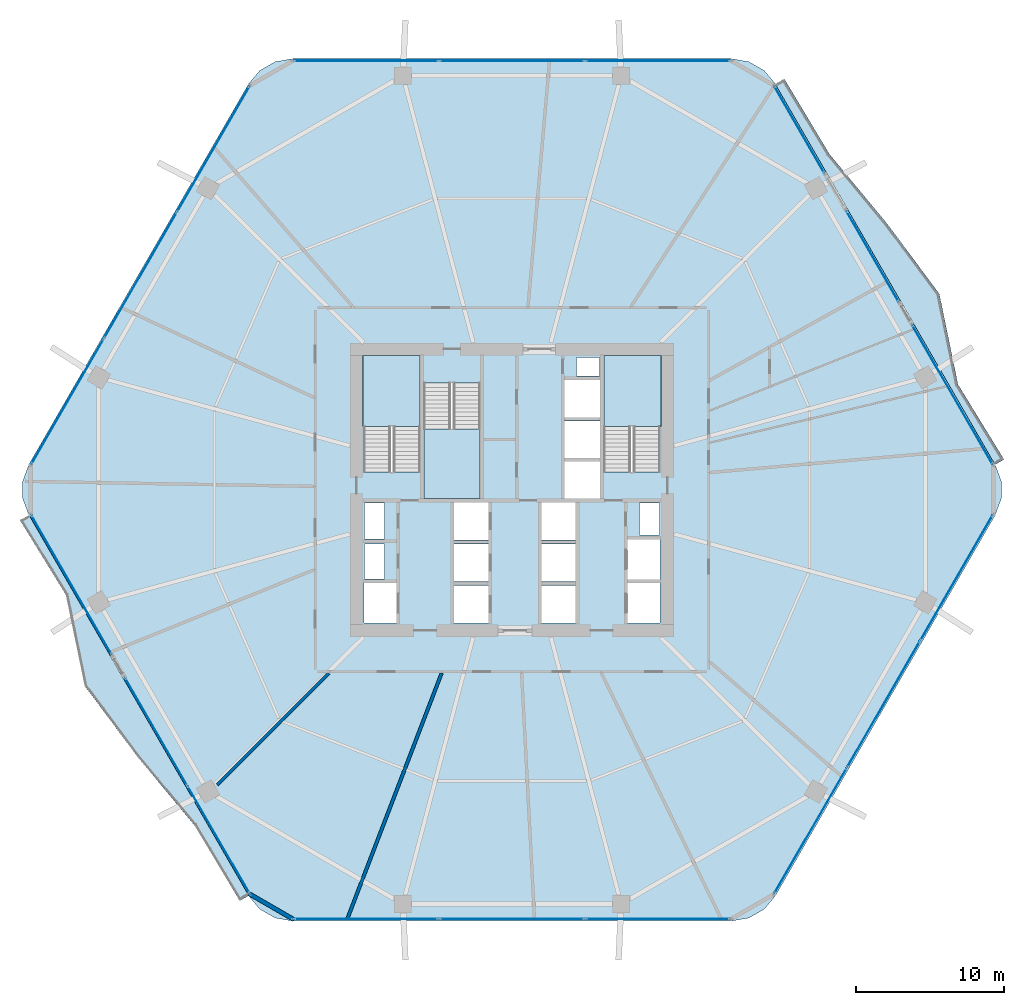
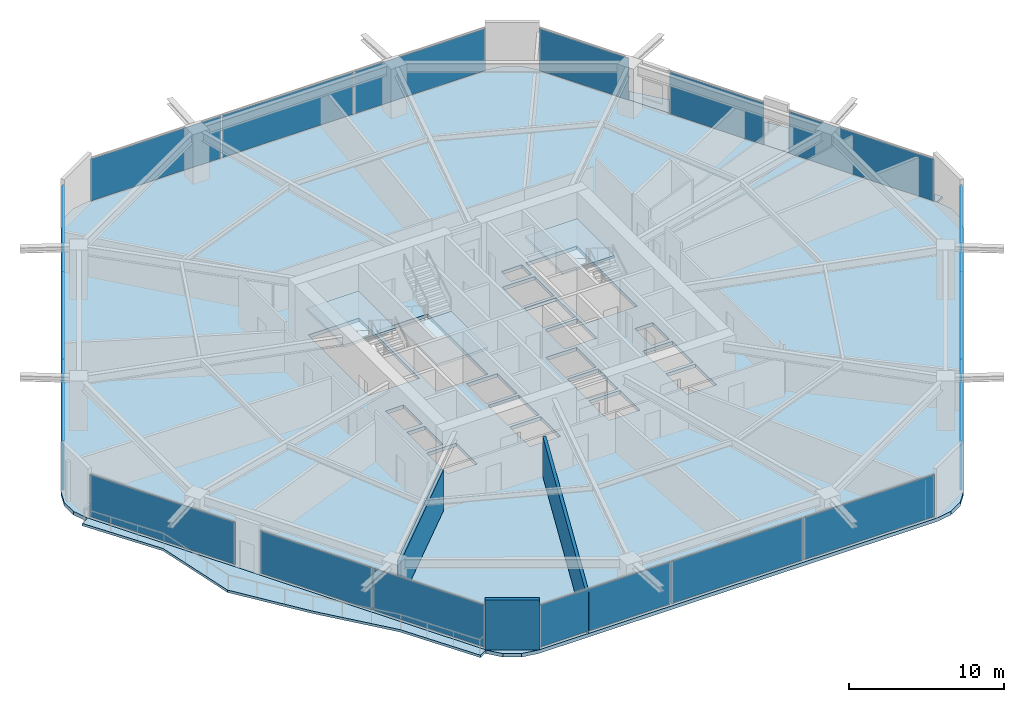
# One storey, part 21 of 27: 18 plates, 6 slabs, 3 walls, 12 elements without a shape of their own.
"""IFC4 building model written with IfcOpenShell, lengths in metres."""

import ifcopenshell
import ifcopenshell.guid

model = None  # the IFC model being written
_history = None  # IfcOwnerHistory: only IFC2X3 demands one
_inside = {}  # id of a spatial element -> (the spatial element, [elements in it])
_under = {}  # id of a project, library or spatial element -> (it, [spatial elements below it])
_declared = {}  # id of a project -> (the project, [libraries it declares])
_typed = {}  # id of a type object -> (the type object, [elements of that type])
_made_of = {}  # id of a material, layer set ... -> (it, [elements and type objects made of it])


def new_model(schema):
    """Start an empty IFC model of exactly this schema.

    Asked for "IFC4X3", IfcOpenShell would pick the latest addendum, in which some entities
    have other attributes; the version numbers below select the first issue.
    IFC2X3 requires an IfcOwnerHistory on every rooted entity: one is made here for all.
    """
    global model, _history
    if schema == "IFC4X3":
        model = ifcopenshell.file(schema_version=(4, 3, 0, 0))
    else:
        model = ifcopenshell.file(schema=schema)
    _inside.clear()
    _under.clear()
    _declared.clear()
    _typed.clear()
    _made_of.clear()
    _history = None
    if model.schema == "IFC2X3":
        org = make("IfcOrganization", Name="unknown")
        user = make(
            "IfcPersonAndOrganization",
            ThePerson=make("IfcPerson", FamilyName="unknown"),
            TheOrganization=org,
        )
        app = make(
            "IfcApplication",
            ApplicationDeveloper=org,
            Version="unknown",
            ApplicationFullName="unknown",
            ApplicationIdentifier="unknown",
        )
        _history = make(
            "IfcOwnerHistory",
            OwningUser=user,
            OwningApplication=app,
            ChangeAction="ADDED",
            CreationDate=0,
        )
    return model


def make(cls, **values):
    """One entity of the class cls with the attributes given. An attribute that is None is left unset."""
    return model.create_entity(
        cls, **{name: value for name, value in values.items() if value is not None}
    )


def rooted(cls, **values):
    """An entity with a GlobalId (a new one), such as an element, a storey or a relation."""
    return make(cls, GlobalId=ifcopenshell.guid.new(), OwnerHistory=_history, **values)


def si_unit(unit_type, name, prefix=None):
    """IfcSIUnit, for example si_unit("LENGTHUNIT", "METRE", prefix="MILLI")."""
    return make("IfcSIUnit", UnitType=unit_type, Prefix=prefix, Name=name)


def assignment(units):
    """IfcUnitAssignment: the units of a project."""
    return None if units is None else make("IfcUnitAssignment", Units=units)


def point(xyz):
    """IfcCartesianPoint."""
    return None if xyz is None else make("IfcCartesianPoint", Coordinates=xyz)


def direction(xyz):
    """IfcDirection."""
    return None if xyz is None else make("IfcDirection", DirectionRatios=xyz)


def frame(location, z_axis=None, x_axis=None):
    """IfcAxis2Placement3D, a coordinate frame: its origin and axes. An axis left out is left unset."""
    return make(
        "IfcAxis2Placement3D",
        Location=point(location),
        Axis=direction(z_axis),
        RefDirection=direction(x_axis),
    )


def frame_2d(location, x_axis=None):
    """IfcAxis2Placement2D, a coordinate frame in the plane: its origin and x axis."""
    return make(
        "IfcAxis2Placement2D", Location=point(location), RefDirection=direction(x_axis)
    )


def origin():
    """The frame at (0, 0, 0) with its axes left unset."""
    return frame((0.0, 0.0, 0.0))


def origin_2d():
    """The frame at (0, 0) in the plane with its x axis left unset."""
    return frame_2d((0.0, 0.0))


def place(relative_to, where):
    """IfcLocalPlacement: puts the frame where relative to a parent placement (None: the world)."""
    return make(
        "IfcLocalPlacement", PlacementRelTo=relative_to, RelativePlacement=where
    )


def context(
    kind, dimensions, precision=None, world=None, true_north=None, identifier=None
):
    """IfcGeometricRepresentationContext, for example the 3D "Model" context."""
    return make(
        "IfcGeometricRepresentationContext",
        ContextIdentifier=identifier,
        ContextType=kind,
        CoordinateSpaceDimension=dimensions,
        Precision=precision,
        WorldCoordinateSystem=world,
        TrueNorth=true_north,
    )


def subcontext(parent, identifier, kind, view, scale=None):
    """IfcGeometricRepresentationSubContext, for example "Body" below "Model"."""
    return make(
        "IfcGeometricRepresentationSubContext",
        ContextIdentifier=identifier,
        ContextType=kind,
        ParentContext=parent,
        TargetScale=scale,
        TargetView=view,
    )


def project(units=None, contexts=None):
    """IfcProject with its units and contexts."""
    return rooted(
        "IfcProject",
        Name="project",
        RepresentationContexts=contexts,
        UnitsInContext=assignment(units),
    )


def spatial(cls, under=None, at=None, **own):
    """A site, building, storey or space (cls), placed at a placement, below another one or the project."""
    s = rooted(cls, ObjectPlacement=at, **own)
    if under is not None:
        _under.setdefault(under.id(), (under, []))[1].append(s)
    return s


def polyline(points):
    """IfcPolyline through the points."""
    return make("IfcPolyline", Points=[point(p) for p in points])


def profile(cls, at=None, kind="AREA", **sizes):
    """A parametric profile (cls). Its sizes go by their IFC names, for example OverallWidth=200.0."""
    return make(cls, ProfileType=kind, Position=at, **sizes)


def rectangle(**sizes):
    """IfcRectangleProfileDef."""
    return profile("IfcRectangleProfileDef", **sizes)


def outline(outer, holes=None, kind="AREA"):
    """IfcArbitraryClosedProfileDef: a profile drawn as a closed curve; with holes, ...WithVoids."""
    if holes is None:
        return make("IfcArbitraryClosedProfileDef", ProfileType=kind, OuterCurve=outer)
    return make(
        "IfcArbitraryProfileDefWithVoids",
        ProfileType=kind,
        OuterCurve=outer,
        InnerCurves=holes,
    )


def extrude(swept, where, along, depth):
    """IfcExtrudedAreaSolid: the profile swept, set in the frame where, extruded along a direction by depth."""
    return make(
        "IfcExtrudedAreaSolid",
        SweptArea=swept,
        Position=where,
        ExtrudedDirection=direction(along),
        Depth=depth,
    )


def shape(context_of_items, identifier, shape_type, items):
    """IfcShapeRepresentation: the items that make up one representation, for example the "Body"."""
    return make(
        "IfcShapeRepresentation",
        ContextOfItems=context_of_items,
        RepresentationIdentifier=identifier,
        RepresentationType=shape_type,
        Items=items,
    )


def material(Name=None, Category=None):
    """IfcMaterial."""
    return make("IfcMaterial", Name=Name, Category=Category)


def layer(
    of_material, thickness, ventilated=None, Name=None, Category=None, Priority=None
):
    """IfcMaterialLayer: one layer of a wall or slab, of a material (None: an air gap)."""
    return make(
        "IfcMaterialLayer",
        Material=of_material,
        LayerThickness=thickness,
        IsVentilated=ventilated,
        Name=Name,
        Category=Category,
        Priority=Priority,
    )


def layer_set(layers, Name=None):
    """IfcMaterialLayerSet."""
    return make("IfcMaterialLayerSet", MaterialLayers=layers, LayerSetName=Name)


def made_of(thing, what):
    """Note that an element or type object is made of a material, layer set ...; save() writes the relation."""
    if what is not None:
        _made_of.setdefault(what.id(), (what, []))[1].append(thing)
    return thing


def type_object(cls, material=None, **own):
    """A type object (cls), such as IfcWallType, which elements share."""
    return made_of(rooted(cls, **own), material)


def element(
    cls,
    number,
    at=None,
    inside=None,
    cuts=None,
    type_object=None,
    material=None,
    context=None,
    identifier="Body",
    shape_type=None,
    held_by="IfcProductDefinitionShape",
    body=None,
    shapes=None,
    **own,
):
    """One element of the class cls, such as IfcWall. Its Tag is "e" and its number.

    at: its placement. inside: the storey or other place that contains it. cuts: it is an
    opening in that element (IfcRelVoidsElement). A single representation is given by context,
    identifier, shape_type and body (its items); several are given by shapes. held_by: the class
    of the entity that holds the representations. save() writes the other relations.
    """
    e = rooted(cls, Tag="e%d" % number, ObjectPlacement=at, **own)
    if body is not None:
        shapes = [shape(context, identifier, shape_type, body)]
    if shapes is not None:
        e.Representation = make(held_by, Representations=shapes)
    if inside is not None:
        _inside.setdefault(inside.id(), (inside, []))[1].append(e)
    if cuts is not None:
        rooted(
            "IfcRelVoidsElement", RelatingBuildingElement=cuts, RelatedOpeningElement=e
        )
    if type_object is not None:
        _typed.setdefault(type_object.id(), (type_object, []))[1].append(e)
    return made_of(e, material)


def aggregate(whole, parts):
    """IfcRelAggregates: a whole, such as a stair, and the parts it consists of."""
    return rooted("IfcRelAggregates", RelatingObject=whole, RelatedObjects=parts)


def save(model, path):
    """Write the relations noted so far, then the file.

    IfcRelAggregates (storeys below a building ...), IfcRelContainedInSpatialStructure (elements
    in a storey), IfcRelDefinesByType, IfcRelAssociatesMaterial and IfcRelDeclares: one each for
    every whole, place, type object, material and project.
    """
    for whole, parts in _under.values():
        aggregate(whole, parts)
    for where, things in _inside.values():
        rooted(
            "IfcRelContainedInSpatialStructure",
            RelatedElements=things,
            RelatingStructure=where,
        )
    for kind, things in _typed.values():
        rooted("IfcRelDefinesByType", RelatedObjects=things, RelatingType=kind)
    for what, things in _made_of.values():
        rooted("IfcRelAssociatesMaterial", RelatedObjects=things, RelatingMaterial=what)
    for by, libraries in _declared.values():
        rooted("IfcRelDeclares", RelatingContext=by, RelatedDefinitions=libraries)
    model.write(path)


model = new_model("IFC4")

# Units and contexts
model_context = context("Model", 3, precision=1e-05, world=origin(), true_north=direction((0.0, 1.0)))
body_context = subcontext(model_context, "Body", "Model", "MODEL_VIEW")
ifc_project = project(units=[si_unit("LENGTHUNIT", "METRE"), si_unit("AREAUNIT", "SQUARE_METRE"), si_unit("VOLUMEUNIT", "CUBIC_METRE"), si_unit("PLANEANGLEUNIT", "RADIAN"), si_unit("MASSUNIT", "GRAM", prefix="KILO")], contexts=[model_context])

# Site, building, storey
site_placement = place(None, origin())
site = spatial("IfcSite", under=ifc_project, at=site_placement, CompositionType="ELEMENT")
building_placement = place(site_placement, origin())
building = spatial("IfcBuilding", under=site, at=building_placement, Name="Zuhravey Tower", CompositionType="ELEMENT")
storey_placement = place(building_placement, frame((0.0, 0.0, 12.0)))
storey = spatial("IfcBuildingStorey", under=building, at=storey_placement, Name="L03", CompositionType="ELEMENT", Elevation=12.0)

# Curtain wall, plates
ifc_material_1 = material(Name="Thermally broken anodised aluminium", Category="aluminium")
curtain_wall_type = type_object("IfcCurtainWallType", Name="School Low-E Unitised Curtain Wall CW1", PredefinedType="NOTDEFINED", material=ifc_material_1)
curtain_wall_1_placement = place(storey_placement, origin())
curtain_wall_1 = element("IfcCurtainWall", 1, at=curtain_wall_1_placement, inside=storey, type_object=curtain_wall_type, Name="L03 CW1 CW-L03-F6-1", PredefinedType="NOTDEFINED")
ifc_material_2 = material(Name="Laminated acoustic low-E vision glass", Category="glass")
ifc_layer_1 = layer(ifc_material_2, 0.048095703125)
ifc_layer_set_1 = layer_set([ifc_layer_1], Name="Laminated acoustic low-E vision glass")
plate_type = type_object("IfcPlateType", Name="Acoustic School Vision Panel", PredefinedType="CURTAIN_PANEL", material=ifc_layer_set_1)
plate_1_placement = place(storey_placement, frame((66.000732421875, 26.045654296875, 0.090087890625), z_axis=(0.0, 0.0, 1.0), x_axis=(-0.499999794119, -0.86602552265, 0.0)))
plate_1 = element("IfcPlate", 2, at=plate_1_placement, type_object=plate_type, Name="CW1 panel 1.1", PredefinedType="CURTAIN_PANEL", context=body_context, shape_type="SweptSolid", body=[
    extrude(rectangle(XDim=9.7314453125, YDim=0.048095703125, at=origin_2d()), origin(), (0.0, 0.0, 1.0), 3.31201171875),
])
plate_2_placement = place(storey_placement, frame((61.078857421875, 17.520751953125, 0.090087890625), z_axis=(0.0, 0.0, 1.0), x_axis=(-0.499999794119, -0.86602552265, 0.0)))
plate_2 = element("IfcPlate", 3, at=plate_2_placement, type_object=plate_type, Name="CW1 panel 2.1", PredefinedType="CURTAIN_PANEL", context=body_context, shape_type="SweptSolid", body=[
    extrude(rectangle(XDim=9.7763671875, YDim=0.048095703125, at=origin_2d()), origin(), (0.0, 0.0, 1.0), 3.31201171875),
])
plate_3_placement = place(storey_placement, frame((56.15673828125, 8.995849609375, 0.090087890625), z_axis=(0.0, 0.0, 1.0), x_axis=(-0.499999794119, -0.86602552265, 0.0)))
plate_3 = element("IfcPlate", 4, at=plate_3_placement, type_object=plate_type, Name="CW1 panel 3.1", PredefinedType="CURTAIN_PANEL", context=body_context, shape_type="SweptSolid", body=[
    extrude(rectangle(XDim=9.7314453125, YDim=0.048095703125, at=origin_2d()), origin(), (0.0, 0.0, 1.0), 3.31201171875),
])
aggregate(curtain_wall_1, [plate_1, plate_2, plate_3])

curtain_wall_2_placement = place(storey_placement, origin())
curtain_wall_2 = element("IfcCurtainWall", 5, at=curtain_wall_2_placement, inside=storey, type_object=curtain_wall_type, Name="L03 CW1 CW-L03-F5-1", PredefinedType="NOTDEFINED")
plate_4_placement = place(storey_placement, frame((45.84375, 3.04150390625, 0.090087890625), z_axis=(0.0, 0.0, 1.0), x_axis=(-1.0, 0.0, 0.0)))
plate_4 = element("IfcPlate", 6, at=plate_4_placement, type_object=plate_type, Name="CW1 panel 1.1", PredefinedType="CURTAIN_PANEL", context=body_context, shape_type="SweptSolid", body=[
    extrude(rectangle(XDim=9.7314453125, YDim=0.048095703125, at=origin_2d()), origin(), (0.0, 0.0, 1.0), 3.31201171875),
])
plate_5_placement = place(storey_placement, frame((36.0, 3.04150390625, 0.090087890625), z_axis=(0.0, 0.0, 1.0), x_axis=(-1.0, 0.0, 0.0)))
plate_5 = element("IfcPlate", 7, at=plate_5_placement, type_object=plate_type, Name="CW1 panel 2.1", PredefinedType="CURTAIN_PANEL", context=body_context, shape_type="SweptSolid", body=[
    extrude(rectangle(XDim=9.7763671875, YDim=0.048095703125, at=origin_2d()), origin(), (0.0, 0.0, 1.0), 3.31201171875),
])
plate_6_placement = place(storey_placement, frame((26.15625, 3.04150390625, 0.090087890625), z_axis=(0.0, 0.0, 1.0), x_axis=(-1.0, 0.0, 0.0)))
plate_6 = element("IfcPlate", 8, at=plate_6_placement, type_object=plate_type, Name="CW1 panel 3.1", PredefinedType="CURTAIN_PANEL", context=body_context, shape_type="SweptSolid", body=[
    extrude(rectangle(XDim=9.7314453125, YDim=0.048095703125, at=origin_2d()), origin(), (0.0, 0.0, 1.0), 3.31201171875),
])
aggregate(curtain_wall_2, [plate_4, plate_5, plate_6])

curtain_wall_3_placement = place(storey_placement, origin())
curtain_wall_3 = element("IfcCurtainWall", 9, at=curtain_wall_3_placement, inside=storey, type_object=curtain_wall_type, Name="L03 CW1 CW-L03-F4-1", PredefinedType="NOTDEFINED")
plate_7_placement = place(storey_placement, frame((16.1953125, 8.3857421875, 0.090087890625), z_axis=(0.0, 0.0, 1.0), x_axis=(-0.499999818499, 0.866025508574, 0.0)))
plate_7 = element("IfcPlate", 10, at=plate_7_placement, type_object=plate_type, Name="CW1 panel 1.1", PredefinedType="CURTAIN_PANEL", context=body_context, shape_type="SweptSolid", body=[
    extrude(rectangle(XDim=8.322509765625, YDim=0.048095703125, at=origin_2d()), origin(), (0.0, 0.0, 1.0), 3.31201171875),
])
plate_8_placement = place(storey_placement, frame((11.989013671875, 15.671142578125, 0.090087890625), z_axis=(0.0, 0.0, 1.0), x_axis=(-0.499999818499, 0.866025508574, 0.0)))
plate_8 = element("IfcPlate", 11, at=plate_8_placement, type_object=plate_type, Name="CW1 panel 2.1", PredefinedType="CURTAIN_PANEL", context=body_context, shape_type="SweptSolid", body=[
    extrude(rectangle(XDim=8.322509765625, YDim=0.048095703125, at=origin_2d()), origin(), (0.0, 0.0, 1.0), 3.31201171875),
])
aggregate(curtain_wall_3, [plate_7, plate_8])

# Curtain wall, plate
curtain_wall_4_placement = place(storey_placement, origin())
curtain_wall_4 = element("IfcCurtainWall", 12, at=curtain_wall_4_placement, inside=storey, type_object=curtain_wall_type, Name="L03 CW1 CW-L03-F4-2", PredefinedType="NOTDEFINED")
plate_9_placement = place(storey_placement, frame((6.267333984375, 25.581298828125, 0.090087890625), z_axis=(0.0, 0.0, 1.0), x_axis=(-0.499998022171, 0.866026545681, 0.0)))
plate_9 = element("IfcPlate", 13, at=plate_9_placement, type_object=plate_type, Name="CW1 panel 1.1", PredefinedType="CURTAIN_PANEL", context=body_context, shape_type="SweptSolid", body=[
    extrude(rectangle(XDim=10.803955078125, YDim=0.048095703125, at=origin_2d()), origin(), (0.0, 0.0, 1.0), 3.31201171875),
])
aggregate(curtain_wall_4, [plate_9])

# Curtain wall, plates
curtain_wall_5_placement = place(storey_placement, origin())
curtain_wall_5 = element("IfcCurtainWall", 14, at=curtain_wall_5_placement, inside=storey, type_object=curtain_wall_type, Name="L03 CW1 CW-L03-F3-1", PredefinedType="NOTDEFINED")
plate_10_placement = place(storey_placement, frame((5.999267578125, 37.954345703125, 0.090087890625), z_axis=(0.0, 0.0, 1.0), x_axis=(0.499999794119, 0.86602552265, 0.0)))
plate_10 = element("IfcPlate", 15, at=plate_10_placement, type_object=plate_type, Name="CW1 panel 1.1", PredefinedType="CURTAIN_PANEL", context=body_context, shape_type="SweptSolid", body=[
    extrude(rectangle(XDim=9.7314453125, YDim=0.048095703125, at=origin_2d()), origin(), (0.0, 0.0, 1.0), 3.31201171875),
])
plate_11_placement = place(storey_placement, frame((10.921142578125, 46.479248046875, 0.090087890625), z_axis=(0.0, 0.0, 1.0), x_axis=(0.499999794119, 0.86602552265, 0.0)))
plate_11 = element("IfcPlate", 16, at=plate_11_placement, type_object=plate_type, Name="CW1 panel 2.1", PredefinedType="CURTAIN_PANEL", context=body_context, shape_type="SweptSolid", body=[
    extrude(rectangle(XDim=9.7763671875, YDim=0.048095703125, at=origin_2d()), origin(), (0.0, 0.0, 1.0), 3.31201171875),
])
plate_12_placement = place(storey_placement, frame((15.84326171875, 55.004150390625, 0.090087890625), z_axis=(0.0, 0.0, 1.0), x_axis=(0.499999794119, 0.86602552265, 0.0)))
plate_12 = element("IfcPlate", 17, at=plate_12_placement, type_object=plate_type, Name="CW1 panel 3.1", PredefinedType="CURTAIN_PANEL", context=body_context, shape_type="SweptSolid", body=[
    extrude(rectangle(XDim=9.7314453125, YDim=0.048095703125, at=origin_2d()), origin(), (0.0, 0.0, 1.0), 3.31201171875),
])
aggregate(curtain_wall_5, [plate_10, plate_11, plate_12])

curtain_wall_6_placement = place(storey_placement, origin())
curtain_wall_6 = element("IfcCurtainWall", 18, at=curtain_wall_6_placement, inside=storey, type_object=curtain_wall_type, Name="L03 CW1 CW-L03-F2-1", PredefinedType="NOTDEFINED")
plate_13_placement = place(storey_placement, frame((26.15625, 60.95849609375, 0.090087890625), z_axis=(0.0, 0.0, 1.0), x_axis=(1.0, 0.0, 0.0)))
plate_13 = element("IfcPlate", 19, at=plate_13_placement, type_object=plate_type, Name="CW1 panel 1.1", PredefinedType="CURTAIN_PANEL", context=body_context, shape_type="SweptSolid", body=[
    extrude(rectangle(XDim=9.7314453125, YDim=0.048095703125, at=origin_2d()), origin(), (0.0, 0.0, 1.0), 3.31201171875),
])
plate_14_placement = place(storey_placement, frame((36.0, 60.95849609375, 0.090087890625), z_axis=(0.0, 0.0, 1.0), x_axis=(1.0, 0.0, 0.0)))
plate_14 = element("IfcPlate", 20, at=plate_14_placement, type_object=plate_type, Name="CW1 panel 2.1", PredefinedType="CURTAIN_PANEL", context=body_context, shape_type="SweptSolid", body=[
    extrude(rectangle(XDim=9.7763671875, YDim=0.048095703125, at=origin_2d()), origin(), (0.0, 0.0, 1.0), 3.31201171875),
])
plate_15_placement = place(storey_placement, frame((45.84375, 60.95849609375, 0.090087890625), z_axis=(0.0, 0.0, 1.0), x_axis=(1.0, 0.0, 0.0)))
plate_15 = element("IfcPlate", 21, at=plate_15_placement, type_object=plate_type, Name="CW1 panel 3.1", PredefinedType="CURTAIN_PANEL", context=body_context, shape_type="SweptSolid", body=[
    extrude(rectangle(XDim=9.7314453125, YDim=0.048095703125, at=origin_2d()), origin(), (0.0, 0.0, 1.0), 3.31201171875),
])
aggregate(curtain_wall_6, [plate_13, plate_14, plate_15])

# Curtain wall, plate
curtain_wall_7_placement = place(storey_placement, origin())
curtain_wall_7 = element("IfcCurtainWall", 22, at=curtain_wall_7_placement, inside=storey, type_object=curtain_wall_type, Name="L03 CW1 CW-L03-F1-1", PredefinedType="NOTDEFINED")
plate_16_placement = place(storey_placement, frame((55.39453125, 56.324462890625, 0.090087890625), z_axis=(0.0, 0.0, 1.0), x_axis=(0.499992802933, -0.866029558973, 0.0)))
plate_16 = element("IfcPlate", 23, at=plate_16_placement, type_object=plate_type, Name="CW1 panel 1.1", PredefinedType="CURTAIN_PANEL", context=body_context, shape_type="SweptSolid", body=[
    extrude(rectangle(XDim=6.6826171875, YDim=0.048095703125, at=origin_2d()), origin(), (0.0, 0.0, 1.0), 3.31201171875),
])
aggregate(curtain_wall_7, [plate_16])

curtain_wall_8_placement = place(storey_placement, origin())
curtain_wall_8 = element("IfcCurtainWall", 24, at=curtain_wall_8_placement, inside=storey, type_object=curtain_wall_type, Name="L03 CW1 CW-L03-F1-2", PredefinedType="NOTDEFINED")
plate_17_placement = place(storey_placement, frame((60.3359375, 47.765869140625, 0.090087890625), z_axis=(0.0, 0.0, 1.0), x_axis=(0.500002078522, -0.866024203746, 0.0)))
plate_17 = element("IfcPlate", 25, at=plate_17_placement, type_object=plate_type, Name="CW1 panel 1.1", PredefinedType="CURTAIN_PANEL", context=body_context, shape_type="SweptSolid", body=[
    extrude(rectangle(XDim=7.0224609375, YDim=0.048095703125, at=origin_2d()), origin(), (0.0, 0.0, 1.0), 3.31201171875),
])
aggregate(curtain_wall_8, [plate_17])

curtain_wall_9_placement = place(storey_placement, origin())
curtain_wall_9 = element("IfcCurtainWall", 26, at=curtain_wall_9_placement, inside=storey, type_object=curtain_wall_type, Name="L03 CW1 CW-L03-F1-3", PredefinedType="NOTDEFINED")
plate_18_placement = place(storey_placement, frame((65.732666015625, 38.418701171875, 0.090087890625), z_axis=(0.0, 0.0, 1.0), x_axis=(0.499998022171, -0.866026545681, 0.0)))
plate_18 = element("IfcPlate", 27, at=plate_18_placement, type_object=plate_type, Name="CW1 panel 1.1", PredefinedType="CURTAIN_PANEL", context=body_context, shape_type="SweptSolid", body=[
    extrude(rectangle(XDim=10.803955078125, YDim=0.048095703125, at=origin_2d()), origin(), (0.0, 0.0, 1.0), 3.31201171875),
])
aggregate(curtain_wall_9, [plate_18])

# Slabs
ifc_material_3 = material(Name="Concrete C50/60", Category="concrete")
ifc_layer_2 = layer(ifc_material_3, 0.280029296875)
ifc_layer_set_2 = layer_set([ifc_layer_2], Name="Concrete C50/60")
slab_type_1 = type_object("IfcSlabType", Name="School Composite Floor Slab 280", PredefinedType="FLOOR", material=ifc_layer_set_2)
slab_1_placement = place(storey_placement, frame((0.0, 0.0, -0.280029296875)))
element("IfcSlab", 28, at=slab_1_placement, inside=storey, type_object=slab_type_1, Name="L03 Floor Slab FS28", PredefinedType="FLOOR", context=body_context, shape_type="SweptSolid", body=[
    extrude(outline(polyline([(68.618408203125, 30.300048828125), (69.0224609375, 31.40966796875), (69.0224609375, 32.59033203125), (68.618408203125, 33.699951171875), (53.781494140625, 59.3984375), (53.0224609375, 60.302978515625), (52.0, 60.893310546875), (50.8369140625, 61.098388671875), (21.1630859375, 61.098388671875), (20.0, 60.893310546875), (18.9775390625, 60.302978515625), (18.218505859375, 59.3984375), (3.381591796875, 33.699951171875), (2.9775390625, 32.59033203125), (2.9775390625, 31.40966796875), (3.381591796875, 30.300048828125), (18.218505859375, 4.6015625), (18.9775390625, 3.697021484375), (20.0, 3.106689453125), (21.1630859375, 2.901611328125), (50.8369140625, 2.901611328125), (52.0, 3.106689453125), (53.0224609375, 3.697021484375), (53.781494140625, 4.6015625), (68.618408203125, 30.300048828125)]), holes=[polyline([(29.800048828125, 33.20068359375), (29.800048828125, 41.0), (26.0, 41.0), (26.0, 33.20068359375), (29.800048828125, 33.20068359375)]), polyline([(46.0, 33.20068359375), (46.0, 41.0), (42.199951171875, 41.0), (42.199951171875, 33.20068359375), (46.0, 33.20068359375)]), polyline([(30.050048828125, 39.199462890625), (30.050048828125, 31.39990234375), (33.85009765625, 31.39990234375), (33.85009765625, 39.199462890625), (30.050048828125, 39.199462890625)]), polyline([(32.10009765625, 23.0), (34.39990234375, 23.0), (34.39990234375, 25.550048828125), (32.10009765625, 25.550048828125), (32.10009765625, 23.0)]), polyline([(32.10009765625, 25.800048828125), (34.39990234375, 25.800048828125), (34.39990234375, 28.35009765625), (32.10009765625, 28.35009765625), (32.10009765625, 25.800048828125)]), polyline([(32.10009765625, 28.60009765625), (34.39990234375, 28.60009765625), (34.39990234375, 31.14990234375), (32.10009765625, 31.14990234375), (32.10009765625, 28.60009765625)]), polyline([(38.0, 23.0), (40.300048828125, 23.0), (40.300048828125, 25.550048828125), (38.0, 25.550048828125), (38.0, 23.0)]), polyline([(38.0, 25.800048828125), (40.300048828125, 25.800048828125), (40.300048828125, 28.35009765625), (38.0, 28.35009765625), (38.0, 25.800048828125)]), polyline([(38.0, 28.60009765625), (40.300048828125, 28.60009765625), (40.300048828125, 31.14990234375), (38.0, 31.14990234375), (38.0, 28.60009765625)]), polyline([(39.550048828125, 31.39990234375), (41.949951171875, 31.39990234375), (41.949951171875, 33.89990234375), (39.550048828125, 33.89990234375), (39.550048828125, 31.39990234375)]), polyline([(39.550048828125, 34.14990234375), (41.949951171875, 34.14990234375), (41.949951171875, 36.64990234375), (39.550048828125, 36.64990234375), (39.550048828125, 34.14990234375)]), polyline([(39.550048828125, 36.89990234375), (41.949951171875, 36.89990234375), (41.949951171875, 39.39990234375), (39.550048828125, 39.39990234375), (39.550048828125, 36.89990234375)]), polyline([(26.0, 23.0), (28.199951171875, 23.0), (28.199951171875, 25.699951171875), (26.0, 25.699951171875), (26.0, 23.0)]), polyline([(43.800048828125, 23.0), (46.0, 23.0), (46.0, 25.699951171875), (43.800048828125, 25.699951171875), (43.800048828125, 23.0)]), polyline([(43.800048828125, 25.949951171875), (46.0, 25.949951171875), (46.0, 28.64990234375), (43.800048828125, 28.64990234375), (43.800048828125, 25.949951171875)]), polyline([(26.050048828125, 26.0), (27.39990234375, 26.0), (27.39990234375, 28.35009765625), (26.050048828125, 28.35009765625), (26.050048828125, 26.0)]), polyline([(26.050048828125, 28.699951171875), (27.39990234375, 28.699951171875), (27.39990234375, 31.10009765625), (26.050048828125, 31.10009765625), (26.050048828125, 28.699951171875)]), polyline([(44.60009765625, 28.949951171875), (45.949951171875, 28.949951171875), (45.949951171875, 31.10009765625), (44.60009765625, 31.10009765625), (44.60009765625, 28.949951171875)]), polyline([(40.35009765625, 39.699951171875), (41.89990234375, 39.699951171875), (41.89990234375, 40.949951171875), (40.35009765625, 40.949951171875), (40.35009765625, 39.699951171875)])]), origin(), (0.0, 0.0, 1.0), 0.280029296875),
])
ifc_material_4 = material(Name="Precast concrete C40/50", Category="concrete")
ifc_layer_3 = layer(ifc_material_4, 0.18994140625)
ifc_layer_set_3 = layer_set([ifc_layer_3], Name="Precast concrete C40/50")
slab_type_2 = type_object("IfcSlabType", Name="Sinusoidal School Sunshade Ledge 190", PredefinedType="FLOOR", material=ifc_layer_set_3)
slab_2_placement = place(storey_placement, frame((0.0, 0.0, -0.18994140625)))
element("IfcSlab", 29, at=slab_2_placement, inside=storey, type_object=slab_type_2, Name="L03 Face 1 Wave Balcony WL19", PredefinedType="FLOOR", context=body_context, shape_type="SweptSolid", body=[
    extrude(outline(polyline([(68.601318359375, 33.699951171875), (53.772705078125, 59.383544921875), (54.37890625, 59.7333984375), (57.431884765625, 54.647216796875), (61.2763671875, 50.017822265625), (64.842041015625, 45.2275390625), (66.103515625, 39.10693359375), (69.20751953125, 34.050048828125), (68.601318359375, 33.699951171875)])), origin(), (0.0, 0.0, 1.0), 0.18994140625),
])
slab_3_placement = place(storey_placement, frame((0.0, 0.0, -0.18994140625)))
element("IfcSlab", 30, at=slab_3_placement, inside=storey, type_object=slab_type_2, Name="L03 Face 4 Wave Balcony WL19", PredefinedType="FLOOR", context=body_context, shape_type="SweptSolid", body=[
    extrude(outline(polyline([(3.398681640625, 30.300048828125), (18.227294921875, 4.616455078125), (17.62109375, 4.2666015625), (14.568115234375, 9.352783203125), (10.7236328125, 13.982177734375), (7.157958984375, 18.7724609375), (5.896484375, 24.89306640625), (2.79248046875, 29.949951171875), (3.398681640625, 30.300048828125)])), origin(), (0.0, 0.0, 1.0), 0.18994140625),
])

# Stair, slab
ifc_material_5 = material(Name="Concrete C40/50", Category="concrete")
stair_type = type_object("IfcStairType", Name="School Storey Stair Assembly 4200", PredefinedType="HALF_TURN_STAIR", material=ifc_material_5)
stair_1_placement = place(storey_placement, origin())
stair_1 = element("IfcStair", 31, at=stair_1_placement, inside=storey, type_object=stair_type, Name="L03 Core Exit Stair ST1", PredefinedType="HALF_TURN_STAIR")
ifc_layer_4 = layer(ifc_material_5, 0.199951171875)
ifc_layer_set_4 = layer_set([ifc_layer_4], Name="Concrete C40/50")
slab_type_3 = type_object("IfcSlabType", Name="Stair Landing Slab 200", PredefinedType="LANDING", material=ifc_layer_set_4)
slab_4_placement = place(storey_placement, frame((0.0, 0.0, 1.89990234375)))
slab_4 = element("IfcSlab", 32, at=slab_4_placement, type_object=slab_type_3, Name="ST1 landing 1", PredefinedType="LANDING", context=body_context, shape_type="SweptSolid", body=[
    extrude(outline(polyline([(29.800048828125, 36.280029296875), (29.800048828125, 41.072998046875), (25.927001953125, 41.072998046875), (25.927001953125, 36.280029296875), (29.800048828125, 36.280029296875)])), origin(), (0.0, 0.0, 1.0), 0.2001953125),
])
aggregate(stair_1, [slab_4])

stair_2_placement = place(storey_placement, origin())
stair_2 = element("IfcStair", 33, at=stair_2_placement, inside=storey, type_object=stair_type, Name="L03 Core Exit Stair ST2", PredefinedType="HALF_TURN_STAIR")
slab_5_placement = place(storey_placement, frame((0.0, 0.0, 1.89990234375)))
slab_5 = element("IfcSlab", 34, at=slab_5_placement, type_object=slab_type_3, Name="ST2 landing 1", PredefinedType="LANDING", context=body_context, shape_type="SweptSolid", body=[
    extrude(outline(polyline([(46.072998046875, 36.280029296875), (46.072998046875, 41.072998046875), (42.199951171875, 41.072998046875), (42.199951171875, 36.280029296875), (46.072998046875, 36.280029296875)])), origin(), (0.0, 0.0, 1.0), 0.2001953125),
])
aggregate(stair_2, [slab_5])

stair_3_placement = place(storey_placement, origin())
stair_3 = element("IfcStair", 35, at=stair_3_placement, inside=storey, type_object=stair_type, Name="L03 Core Exit Stair ST3", PredefinedType="HALF_TURN_STAIR")
slab_6_placement = place(storey_placement, frame((0.0, 0.0, 1.89990234375)))
slab_6 = element("IfcSlab", 36, at=slab_6_placement, type_object=slab_type_3, Name="ST3 landing 1", PredefinedType="LANDING", context=body_context, shape_type="SweptSolid", body=[
    extrude(outline(polyline([(30.050048828125, 36.1201171875), (30.050048828125, 31.39990234375), (33.85009765625, 31.39990234375), (33.85009765625, 36.1201171875), (30.050048828125, 36.1201171875)])), origin(), (0.0, 0.0, 1.0), 0.2001953125),
])
aggregate(stair_3, [slab_6])

# Walls
ifc_layer_5 = layer(ifc_material_4, 0.280029296875)
ifc_layer_set_5 = layer_set([ifc_layer_5], Name="Precast concrete C40/50")
wall_type_1 = type_object("IfcWallType", Name="Crown Architectural Wall 280", PredefinedType="SOLIDWALL", material=ifc_layer_set_5)
wall_1_placement = place(storey_placement, frame((21.28271484375, 2.993896484375, 0.0), z_axis=(0.0, 0.0, 1.0), x_axis=(-0.866007452331, 0.500031091541, 0.0)))
element("IfcWall", 37, at=wall_1_placement, inside=storey, type_object=wall_type_1, Name="L03 Rounded Corner Closure Wall EW28-04", PredefinedType="SOLIDWALL", context=body_context, shape_type="SweptSolid", body=[
    extrude(rectangle(XDim=3.514892578125, YDim=0.280029296875, at=frame_2d((1.75732421875, 0.0))), origin(), (0.0, 0.0, 1.0), 3.919921875),
])
ifc_material_6 = material(Name="Gypsum acoustic stud assembly")
ifc_layer_6 = layer(ifc_material_6, 0.219970703125)
ifc_layer_set_6 = layer_set([ifc_layer_6], Name="Gypsum acoustic stud assembly")
wall_type_2 = type_object("IfcWallType", Name="School Acoustic Compartment Wall 220", PredefinedType="PARTITIONING", material=ifc_layer_set_6)
wall_2_placement = place(storey_placement, frame((23.626953125, 19.626953125, 0.0), z_axis=(0.0, 0.0, 1.0), x_axis=(-0.707106781187, -0.707106781187, 0.0)))
element("IfcWall", 38, at=wall_2_placement, inside=storey, type_object=wall_type_2, Name="L03 IW22 Partition 058", PredefinedType="PARTITIONING", context=body_context, shape_type="SweptSolid", body=[
    extrude(rectangle(XDim=10.643310546875, YDim=0.219970703125, at=frame_2d((5.32177734375, 0.0))), origin(), (0.0, 0.0, 1.0), 3.219970703125),
])
wall_3_placement = place(storey_placement, frame((31.25048828125, 19.626953125, 0.0), z_axis=(0.0, 0.0, 1.0), x_axis=(-0.358374904207, -0.933577756823, 0.0)))
element("IfcWall", 39, at=wall_3_placement, inside=storey, type_object=wall_type_2, Name="L03 IW22 Partition 059", PredefinedType="PARTITIONING", context=body_context, shape_type="SweptSolid", body=[
    extrude(rectangle(XDim=17.765380859375, YDim=0.219970703125, at=frame_2d((8.8828125, 0.0))), origin(), (0.0, 0.0, 1.0), 3.169921875),
])

save(model, "model.ifc")
